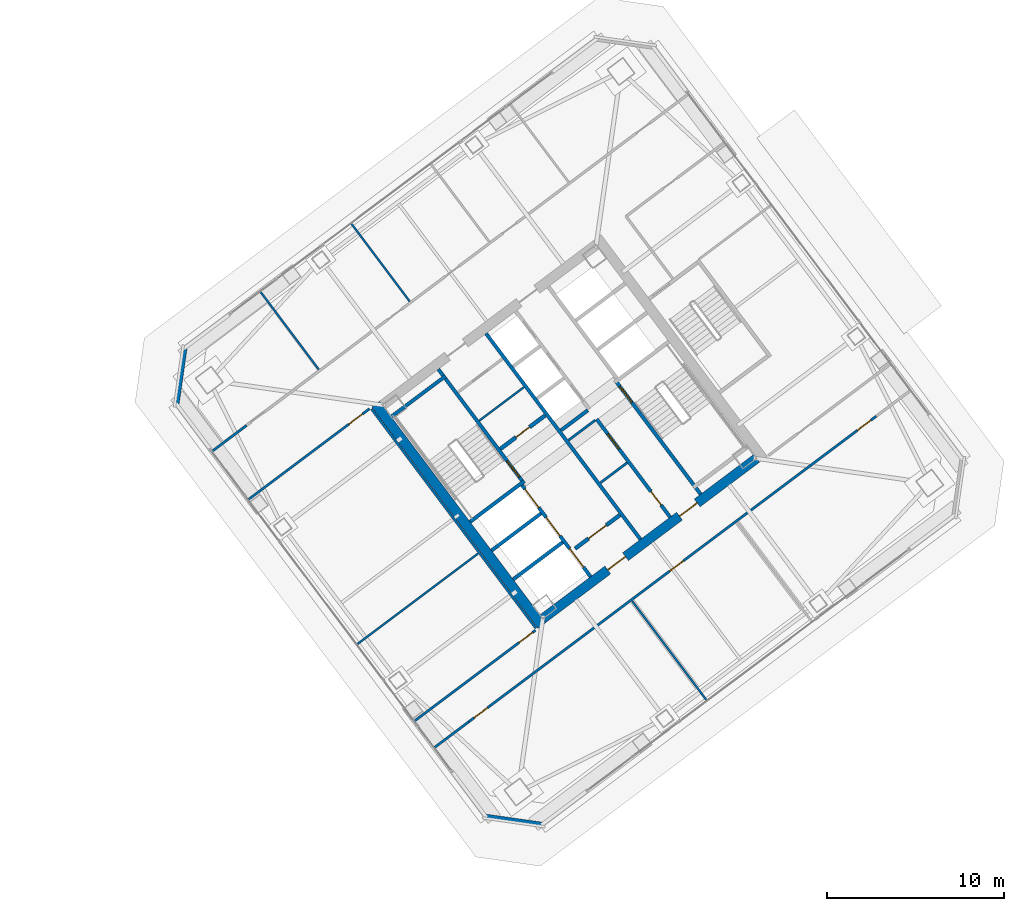
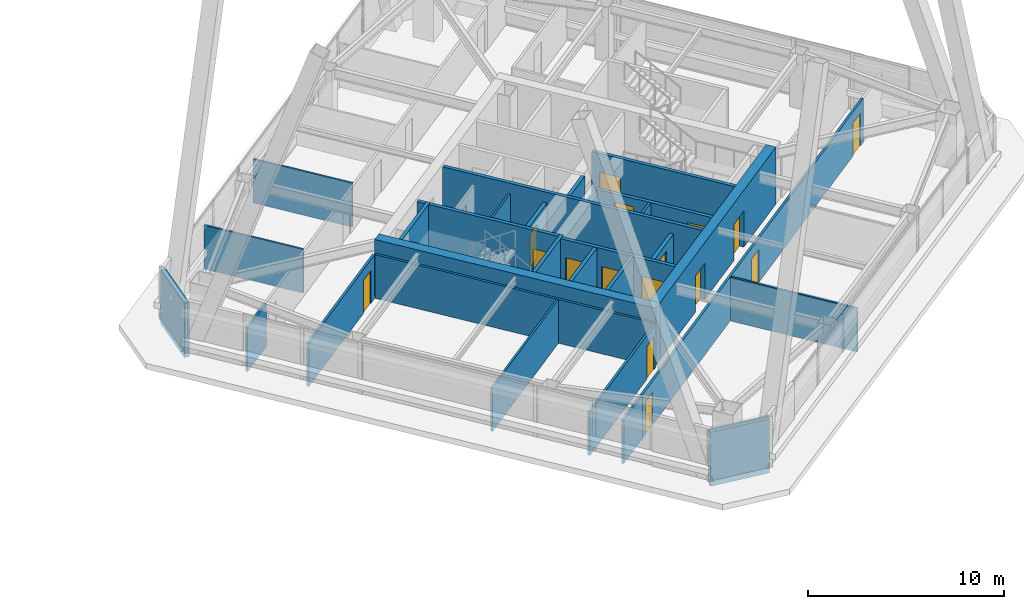
# One storey, part 57 of 65: 29 walls, 16 doors, 16 openings.
"""IFC4 building model written with IfcOpenShell, lengths in metres."""

from ifc_helpers import new_model, si_unit, direction, frame, frame_2d, origin, place, context, subcontext, project, spatial, rectangle, extrude, material, layer, layer_set, type_object, element, fill, save


model = new_model("IFC4")

# Units and contexts
model_context = context("Model", 3, precision=1e-05, world=origin(), true_north=direction((0.0, 1.0)))
body_context = subcontext(model_context, "Body", "Model", "MODEL_VIEW")
ifc_project = project(units=[si_unit("LENGTHUNIT", "METRE"), si_unit("AREAUNIT", "SQUARE_METRE"), si_unit("VOLUMEUNIT", "CUBIC_METRE"), si_unit("PLANEANGLEUNIT", "RADIAN"), si_unit("MASSUNIT", "GRAM", prefix="KILO")], contexts=[model_context])

# Site, building, storey
site_placement = place(None, origin())
site = spatial("IfcSite", under=ifc_project, at=site_placement, CompositionType="ELEMENT")
building_placement = place(site_placement, origin())
building = spatial("IfcBuilding", under=site, at=building_placement, Name="Tashvorn Skyway Center", CompositionType="ELEMENT")
storey_placement = place(building_placement, frame((0.0, 0.0, 157.0)))
storey = spatial("IfcBuildingStorey", under=building, at=storey_placement, Name="L42", CompositionType="ELEMENT", Elevation=157.0)

# Wall
ifc_material_1 = material(Name="Concrete C60/75", Category="concrete")
ifc_layer_1 = layer(ifc_material_1, 0.550048828125)
ifc_layer_set_1 = layer_set([ifc_layer_1], Name="Concrete C60/75")
wall_type_1 = type_object("IfcWallType", Name="WALL-CORE-550", PredefinedType="SHEAR", material=ifc_layer_set_1)
wall_1_placement = place(storey_placement, frame((112.43603515625, 21.076904296875, 0.0), z_axis=(0.0, 0.0, 1.0), x_axis=(-0.600005007985, 0.799996243986, 0.0)))
element("IfcWall", 1, at=wall_1_placement, inside=storey, type_object=wall_type_1, Name="Tower 2 L42 West Core Shear Wall", PredefinedType="SHEAR", context=body_context, shape_type="SweptSolid", body=[
    extrude(rectangle(XDim=15.60009765625, YDim=0.550048828125, at=frame_2d((7.800048828125, 0.0))), origin(), (0.0, 0.0, 1.0), 3.550048828125),
])

# Wall, openings, doors
wall_2_placement = place(storey_placement, frame((124.5390625, 30.498046875, 0.0), z_axis=(0.0, 0.0, 1.0), x_axis=(-0.799998054672, -0.600002593761, 0.0)))
wall_2 = element("IfcWall", 2, at=wall_2_placement, inside=storey, type_object=wall_type_1, Name="Tower 2 L42 South Core Shear Wall", PredefinedType="SHEAR", context=body_context, shape_type="SweptSolid", body=[
    extrude(rectangle(XDim=15.06005859375, YDim=0.550048828125, at=frame_2d((7.530029296875, 0.0))), origin(), (0.0, 0.0, 1.0), 3.550048828125),
])
opening_1_placement = place(wall_2_placement, frame((9.22998046875, 0.0, 0.0)))
opening_1 = element("IfcOpeningElement", 3, at=opening_1_placement, cuts=wall_2, Name="Opening D-FFL-1250", PredefinedType="OPENING", context=body_context, shape_type="SweptSolid", body=[
    extrude(rectangle(XDim=1.25, YDim=2.25, at=frame_2d((0.625, 1.125))), frame((0.0, 0.284912109375, 0.0), z_axis=(0.0, -1.0, 0.0), x_axis=(1.0, 0.0, 0.0)), (0.0, 0.0, 1.0), 0.570068359375),
])
opening_2_placement = place(wall_2_placement, frame((4.179931640625, 0.0, 0.0)))
opening_2 = element("IfcOpeningElement", 4, at=opening_2_placement, cuts=wall_2, Name="Opening D-FFL-1250", PredefinedType="OPENING", context=body_context, shape_type="SweptSolid", body=[
    extrude(rectangle(XDim=1.25, YDim=2.25, at=frame_2d((0.625, 1.125))), frame((0.0, 0.284912109375, 0.0), z_axis=(0.0, -1.0, 0.0), x_axis=(1.0, 0.0, 0.0)), (0.0, 0.0, 1.0), 0.570068359375),
])
ifc_material_2 = material(Name="Hollow galvanized steel fire door assembly", Category="steel")
door_type_1 = type_object("IfcDoorType", Name="DOOR-FFL-1250", OperationType="NOTDEFINED", PredefinedType="DOOR", material=ifc_material_2)
door_1_placement = place(opening_1_placement, origin())
door_1 = element("IfcDoor", 5, at=door_1_placement, inside=storey, type_object=door_type_1, Name="Tower 2 L42 Core South Firefighting Exit Door", OperationType="SINGLE_SWING_LEFT", OverallHeight=2.25, OverallWidth=1.25, PredefinedType="DOOR", context=body_context, shape_type="SweptSolid", body=[
    extrude(rectangle(XDim=1.25, YDim=2.25, at=frame_2d((0.625, 1.125))), frame((0.0, 0.02490234375, 0.0), z_axis=(0.0, -1.0, 0.0), x_axis=(1.0, 0.0, 0.0)), (0.0, 0.0, 1.0), 0.050048828125),
])
fill(opening_1, door_1)
door_2_placement = place(opening_2_placement, origin())
door_2 = element("IfcDoor", 6, at=door_2_placement, inside=storey, type_object=door_type_1, Name="Tower 2 L42 Core South Lift Lobby Door", OperationType="SINGLE_SWING_RIGHT", OverallHeight=2.25, OverallWidth=1.25, PredefinedType="DOOR", context=body_context, shape_type="SweptSolid", body=[
    extrude(rectangle(XDim=1.25, YDim=2.25, at=frame_2d((0.625, 1.125))), frame((0.0, 0.02490234375, 0.0), z_axis=(0.0, -1.0, 0.0), x_axis=(1.0, 0.0, 0.0)), (0.0, 0.0, 1.0), 0.050048828125),
])
fill(opening_2, door_2)

# Walls
ifc_material_3 = material(Name="Precast concrete C40/50", Category="concrete")
ifc_layer_2 = layer(ifc_material_3, 0.280029296875)
ifc_layer_set_2 = layer_set([ifc_layer_2], Name="Precast concrete C40/50")
wall_type_2 = type_object("IfcWallType", Name="WALL-EXT-280", PredefinedType="SOLIDWALL", material=ifc_layer_set_2)
for number, where, z_axis, x_axis, name in (
    (7, (112.47998046875, 9.860107421875, 0.0), (0.0, 0.0, 1.0), (-0.989950994782, 0.141410847992, 0.0), "Tower 2 L42 SW Precast Chamfer Wall"),
    (8, (91.860107421875, 33.52001953125, 0.0), (0.0, 0.0, 1.0), (0.141410847992, 0.989950994782, 0.0), "Tower 2 L42 NW Precast Chamfer Wall"),
):
    element("IfcWall", number, at=place(storey_placement, frame(where, z_axis=z_axis, x_axis=x_axis)), inside=storey, type_object=wall_type_2, Name=name, PredefinedType="SOLIDWALL", context=body_context, shape_type="SweptSolid", body=[
        extrude(rectangle(XDim=3.252685546875, YDim=0.280029296875, at=frame_2d((1.62646484375, 0.0))), origin(), (0.0, 0.0, 1.0), 3.3701171875),
    ])

# Wall, opening, door
ifc_material_4 = material(Name="Concrete C40/50", Category="concrete")
ifc_layer_3 = layer(ifc_material_4, 0.219970703125)
ifc_layer_set_3 = layer_set([ifc_layer_3], Name="Concrete C40/50")
wall_type_3 = type_object("IfcWallType", Name="WALL-FFL-220", PredefinedType="SOLIDWALL", material=ifc_layer_set_3)
wall_3_placement = place(storey_placement, frame((110.10400390625, 31.028076171875, 0.0), z_axis=(0.0, 0.0, 1.0), x_axis=(0.800018601094, 0.59997519774, 0.0)))
wall_3 = element("IfcWall", 9, at=wall_3_placement, inside=storey, type_object=wall_type_3, Name="Tower 2 L42 Firefighting Lobby North Wall", PredefinedType="SOLIDWALL", context=body_context, shape_type="SweptSolid", body=[
    extrude(rectangle(XDim=3.14990234375, YDim=0.219970703125, at=frame_2d((1.574951171875, 0.0))), origin(), (0.0, 0.0, 1.0), 2.722900390625),
])
opening_3_placement = place(wall_3_placement, frame((1.10009765625, 0.0, 0.0)))
opening_3 = element("IfcOpeningElement", 10, at=opening_3_placement, cuts=wall_3, Name="Opening D-RT-950", PredefinedType="OPENING", context=body_context, shape_type="SweptSolid", body=[
    extrude(rectangle(XDim=0.949951171875, YDim=2.050048828125, at=frame_2d((0.47509765625, 1.02490234375))), frame((0.0, 0.119873046875, 0.0), z_axis=(0.0, -1.0, 0.0), x_axis=(1.0, 0.0, 0.0)), (0.0, 0.0, 1.0), 0.239990234375),
])
door_type_2 = type_object("IfcDoorType", Name="DOOR-RATED-950", OperationType="NOTDEFINED", PredefinedType="DOOR", material=ifc_material_2)
door_3_placement = place(opening_3_placement, origin())
door_3 = element("IfcDoor", 11, at=door_3_placement, inside=storey, type_object=door_type_2, Name="Tower 2 L42 Core Linen Store Door", OperationType="SINGLE_SWING_LEFT", OverallHeight=2.050048828125, OverallWidth=0.949951171875, PredefinedType="DOOR", context=body_context, shape_type="SweptSolid", body=[
    extrude(rectangle(XDim=0.949951171875, YDim=2.050048828125, at=frame_2d((0.47509765625, 1.02490234375))), frame((0.0, 0.02490234375, 0.0), z_axis=(0.0, -1.0, 0.0), x_axis=(1.0, 0.0, 0.0)), (0.0, 0.0, 1.0), 0.050048828125),
])
fill(opening_3, door_3)

wall_4_placement = place(storey_placement, frame((114.31591796875, 25.412109375, 0.0), z_axis=(0.0, 0.0, 1.0), x_axis=(0.800018601094, 0.59997519774, 0.0)))
wall_4 = element("IfcWall", 12, at=wall_4_placement, inside=storey, type_object=wall_type_3, Name="Tower 2 L42 Firefighting Lobby South Wall", PredefinedType="SOLIDWALL", context=body_context, shape_type="SweptSolid", body=[
    extrude(rectangle(XDim=3.14990234375, YDim=0.219970703125, at=frame_2d((1.574951171875, 0.0))), origin(), (0.0, 0.0, 1.0), 2.722900390625),
])
opening_4_placement = place(wall_4_placement, frame((0.949951171875, 0.0, 0.0)))
opening_4 = element("IfcOpeningElement", 13, at=opening_4_placement, cuts=wall_4, Name="Opening D-FFL-1250", PredefinedType="OPENING", context=body_context, shape_type="SweptSolid", body=[
    extrude(rectangle(XDim=1.25, YDim=2.25, at=frame_2d((0.625, 1.125))), frame((0.0, 0.119873046875, 0.0), z_axis=(0.0, -1.0, 0.0), x_axis=(1.0, 0.0, 0.0)), (0.0, 0.0, 1.0), 0.239990234375),
])
door_4_placement = place(opening_4_placement, origin())
door_4 = element("IfcDoor", 14, at=door_4_placement, inside=storey, type_object=door_type_1, Name="Tower 2 L42 Firefighting Lobby Egress Door", OperationType="SINGLE_SWING_LEFT", OverallHeight=2.25, OverallWidth=1.25, PredefinedType="DOOR", context=body_context, shape_type="SweptSolid", body=[
    extrude(rectangle(XDim=1.25, YDim=2.25, at=frame_2d((0.625, 1.125))), frame((0.0, 0.02490234375, 0.0), z_axis=(0.0, -1.0, 0.0), x_axis=(1.0, 0.0, 0.0)), (0.0, 0.0, 1.0), 0.050048828125),
])
fill(opening_4, door_4)

# Walls
ifc_material_5 = material(Name="Gypsum board on cold-formed steel stud framing", Category="steel")
ifc_layer_4 = layer(ifc_material_5, 0.110107421875)
ifc_layer_set_4 = layer_set([ifc_layer_4], Name="Gypsum board on cold-formed steel stud framing")
wall_type_4 = type_object("IfcWallType", Name="WALL-PART-110", PredefinedType="PARTITIONING", material=ifc_layer_set_4)
wall_5_placement = place(storey_placement, frame((99.8720703125, 35.50390625, 0.0), z_axis=(0.0, 0.0, 1.0), x_axis=(-0.599992897893, 0.800005326531, 0.0)))
element("IfcWall", 15, at=wall_5_placement, inside=storey, type_object=wall_type_4, Name="Tower 2 L42 North Suite Partition 1", PredefinedType="PARTITIONING", context=body_context, shape_type="SweptSolid", body=[
    extrude(rectangle(XDim=5.500244140625, YDim=0.110107421875, at=frame_2d((2.75, 0.0))), origin(), (0.0, 0.0, 1.0), 2.722900390625),
])
wall_6_placement = place(storey_placement, frame((104.991943359375, 39.343994140625, 0.0), z_axis=(0.0, 0.0, 1.0), x_axis=(-0.600014204577, 0.79998934637, 0.0)))
element("IfcWall", 16, at=wall_6_placement, inside=storey, type_object=wall_type_4, Name="Tower 2 L42 North Suite Partition 2", PredefinedType="PARTITIONING", context=body_context, shape_type="SweptSolid", body=[
    extrude(rectangle(XDim=5.5, YDim=0.110107421875, at=frame_2d((2.75, 0.0))), origin(), (0.0, 0.0, 1.0), 2.722900390625),
])
wall_7_placement = place(storey_placement, frame((121.748046875, 16.8359375, 0.0), z_axis=(0.0, 0.0, 1.0), x_axis=(-0.6, 0.8, 0.0)))
element("IfcWall", 17, at=wall_7_placement, inside=storey, type_object=wall_type_4, Name="Tower 2 L42 South Suite Partition 1", PredefinedType="PARTITIONING", context=body_context, shape_type="SweptSolid", body=[
    extrude(rectangle(XDim=7.030029296875, YDim=0.110107421875, at=frame_2d((3.51513671875, 0.0))), origin(), (0.0, 0.0, 1.0), 2.722900390625),
])
wall_8_placement = place(storey_placement, frame((102.01611328125, 20.011962890625, 0.0), z_axis=(0.0, 0.0, 1.0), x_axis=(0.799989708052, 0.600013722352, 0.0)))
element("IfcWall", 18, at=wall_8_placement, inside=storey, type_object=wall_type_4, Name="Tower 2 L42 West Mid Partition", PredefinedType="PARTITIONING", context=body_context, shape_type="SweptSolid", body=[
    extrude(rectangle(XDim=8.539794921875, YDim=0.110107421875, at=frame_2d((4.27001953125, 0.0))), origin(), (0.0, 0.0, 1.0), 2.722900390625),
])
ifc_layer_5 = layer(ifc_material_5, 0.135009765625)
ifc_layer_set_5 = layer_set([ifc_layer_5], Name="Gypsum board on cold-formed steel stud framing")
wall_type_5 = type_object("IfcWallType", Name="WALL-PART-135", PredefinedType="PARTITIONING", material=ifc_layer_set_5)
wall_9_placement = place(storey_placement, frame((93.85595703125, 30.89208984375, 0.0), z_axis=(0.0, 0.0, 1.0), x_axis=(0.800012055778, 0.599983925293, 0.0)))
element("IfcWall", 19, at=wall_9_placement, inside=storey, type_object=wall_type_5, Name="Tower 2 L42 North-West Suite South Wall", PredefinedType="PARTITIONING", context=body_context, shape_type="SweptSolid", body=[
    extrude(rectangle(XDim=2.43017578125, YDim=0.135009765625, at=frame_2d((1.215087890625, 0.0))), origin(), (0.0, 0.0, 1.0), 2.722900390625),
])

# Wall, openings, doors
wall_10_placement = place(storey_placement, frame((131.281982421875, 32.8740234375, 0.0), z_axis=(0.0, 0.0, 1.0), x_axis=(-0.8, -0.6, 0.0)))
wall_10 = element("IfcWall", 20, at=wall_10_placement, inside=storey, type_object=wall_type_5, Name="Tower 2 L42 South Suite Wall", PredefinedType="PARTITIONING", context=body_context, shape_type="SweptSolid", body=[
    extrude(rectangle(XDim=28.699951171875, YDim=0.135009765625, at=frame_2d((14.35009765625, 0.0))), origin(), (0.0, 0.0, 1.0), 2.722900390625),
])
opening_5_placement = place(wall_10_placement, frame((27.3701171875, 0.0, 0.0)))
opening_5 = element("IfcOpeningElement", 21, at=opening_5_placement, cuts=wall_10, Name="Opening D-INT-950", PredefinedType="OPENING", context=body_context, shape_type="SweptSolid", body=[
    extrude(rectangle(XDim=0.949951171875, YDim=2.050048828125, at=frame_2d((0.47509765625, 1.02490234375))), frame((0.0, 0.077392578125, 0.0), z_axis=(0.0, -1.0, 0.0), x_axis=(1.0, 0.0, 0.0)), (0.0, 0.0, 1.0), 0.155029296875),
])
opening_6_placement = place(wall_10_placement, frame((13.59228515625, 0.0, 0.0)))
opening_6 = element("IfcOpeningElement", 22, at=opening_6_placement, cuts=wall_10, Name="Opening D-INT-950", PredefinedType="OPENING", context=body_context, shape_type="SweptSolid", body=[
    extrude(rectangle(XDim=0.949951171875, YDim=2.050048828125, at=frame_2d((0.47509765625, 1.02490234375))), frame((0.0, 0.077392578125, 0.0), z_axis=(0.0, -1.0, 0.0), x_axis=(1.0, 0.0, 0.0)), (0.0, 0.0, 1.0), 0.155029296875),
])
opening_7_placement = place(wall_10_placement, frame((0.3798828125, 0.0, 0.0)))
opening_7 = element("IfcOpeningElement", 23, at=opening_7_placement, cuts=wall_10, Name="Opening D-INT-950", PredefinedType="OPENING", context=body_context, shape_type="SweptSolid", body=[
    extrude(rectangle(XDim=0.949951171875, YDim=2.050048828125, at=frame_2d((0.47509765625, 1.02490234375))), frame((0.0, 0.077392578125, 0.0), z_axis=(0.0, -1.0, 0.0), x_axis=(1.0, 0.0, 0.0)), (0.0, 0.0, 1.0), 0.155029296875),
])
ifc_material_6 = material(Name="Solid-core architectural oak veneer door")
door_type_3 = type_object("IfcDoorType", Name="DOOR-INT-950", OperationType="NOTDEFINED", PredefinedType="DOOR", material=ifc_material_6)
door_5_placement = place(opening_5_placement, origin())
door_5 = element("IfcDoor", 24, at=door_5_placement, inside=storey, type_object=door_type_3, Name="Tower 2 L42 Research Library Door", OperationType="SINGLE_SWING_LEFT", OverallHeight=2.050048828125, OverallWidth=0.949951171875, PredefinedType="DOOR", context=body_context, shape_type="SweptSolid", body=[
    extrude(rectangle(XDim=0.949951171875, YDim=2.050048828125, at=frame_2d((0.47509765625, 1.02490234375))), frame((0.0, 0.02490234375, 0.0), z_axis=(0.0, -1.0, 0.0), x_axis=(1.0, 0.0, 0.0)), (0.0, 0.0, 1.0), 0.050048828125),
])
fill(opening_5, door_5)
door_6_placement = place(opening_6_placement, origin())
door_6 = element("IfcDoor", 25, at=door_6_placement, inside=storey, type_object=door_type_3, Name="Tower 2 L42 Staff Fitness Club Door", OperationType="SINGLE_SWING_RIGHT", OverallHeight=2.050048828125, OverallWidth=0.949951171875, PredefinedType="DOOR", context=body_context, shape_type="SweptSolid", body=[
    extrude(rectangle(XDim=0.949951171875, YDim=2.050048828125, at=frame_2d((0.47509765625, 1.02490234375))), frame((0.0, 0.02490234375, 0.0), z_axis=(0.0, -1.0, 0.0), x_axis=(1.0, 0.0, 0.0)), (0.0, 0.0, 1.0), 0.050048828125),
])
fill(opening_6, door_6)
door_7_placement = place(opening_7_placement, origin())
door_7 = element("IfcDoor", 26, at=door_7_placement, inside=storey, type_object=door_type_3, Name="Tower 2 L42 Staff Fitness Club Door", OperationType="SINGLE_SWING_LEFT", OverallHeight=2.050048828125, OverallWidth=0.949951171875, PredefinedType="DOOR", context=body_context, shape_type="SweptSolid", body=[
    extrude(rectangle(XDim=0.949951171875, YDim=2.050048828125, at=frame_2d((0.47509765625, 1.02490234375))), frame((0.0, 0.02490234375, 0.0), z_axis=(0.0, -1.0, 0.0), x_axis=(1.0, 0.0, 0.0)), (0.0, 0.0, 1.0), 0.050048828125),
])
fill(opening_7, door_7)

# Walls
wall_11_placement = place(storey_placement, frame((106.3779296875, 14.196044921875, 0.0), z_axis=(0.0, 0.0, 1.0), x_axis=(0.800012055778, 0.599983925293, 0.0)))
element("IfcWall", 27, at=wall_11_placement, inside=storey, type_object=wall_type_5, Name="Tower 2 L42 South-West Suite North Wall", PredefinedType="PARTITIONING", context=body_context, shape_type="SweptSolid", body=[
    extrude(rectangle(XDim=2.43017578125, YDim=0.135009765625, at=frame_2d((1.215087890625, 0.0))), origin(), (0.0, 0.0, 1.0), 2.722900390625),
])
wall_12_placement = place(storey_placement, frame((112.10400390625, 20.927978515625, 0.0), z_axis=(0.0, 0.0, 1.0), x_axis=(-0.599994940075, 0.800003794918, 0.0)))
element("IfcWall", 28, at=wall_12_placement, inside=storey, type_object=wall_type_5, Name="Tower 2 L42 West Inner Suite Wall", PredefinedType="PARTITIONING", context=body_context, shape_type="SweptSolid", body=[
    extrude(rectangle(XDim=15.43994140625, YDim=0.135009765625, at=frame_2d((7.719970703125, 0.0))), origin(), (0.0, 0.0, 1.0), 2.722900390625),
])

# Wall, opening, door
wall_13_placement = place(storey_placement, frame((102.72802734375, 33.2958984375, 0.0), z_axis=(0.0, 0.0, 1.0), x_axis=(-0.800013722153, -0.59998170336, 0.0)))
wall_13 = element("IfcWall", 29, at=wall_13_placement, inside=storey, type_object=wall_type_5, Name="Tower 2 L42 West Suite North Wall", PredefinedType="PARTITIONING", context=body_context, shape_type="SweptSolid", body=[
    extrude(rectangle(XDim=8.539794921875, YDim=0.135009765625, at=frame_2d((4.27001953125, 0.0))), origin(), (0.0, 0.0, 1.0), 2.722900390625),
])
opening_8_placement = place(wall_13_placement, frame((0.5, 0.0, 0.0)))
opening_8 = element("IfcOpeningElement", 30, at=opening_8_placement, cuts=wall_13, Name="Opening D-INT-950", PredefinedType="OPENING", context=body_context, shape_type="SweptSolid", body=[
    extrude(rectangle(XDim=0.949951171875, YDim=2.050048828125, at=frame_2d((0.47509765625, 1.02490234375))), frame((0.0, 0.077392578125, 0.0), z_axis=(0.0, -1.0, 0.0), x_axis=(1.0, 0.0, 0.0)), (0.0, 0.0, 1.0), 0.155029296875),
])
door_8_placement = place(opening_8_placement, origin())
door_8 = element("IfcDoor", 31, at=door_8_placement, inside=storey, type_object=door_type_3, Name="Tower 2 L42 Design Studio Door", OperationType="SINGLE_SWING_RIGHT", OverallHeight=2.050048828125, OverallWidth=0.949951171875, PredefinedType="DOOR", context=body_context, shape_type="SweptSolid", body=[
    extrude(rectangle(XDim=0.949951171875, YDim=2.050048828125, at=frame_2d((0.47509765625, 1.02490234375))), frame((0.0, 0.02490234375, 0.0), z_axis=(0.0, -1.0, 0.0), x_axis=(1.0, 0.0, 0.0)), (0.0, 0.0, 1.0), 0.050048828125),
])
fill(opening_8, door_8)

wall_14_placement = place(storey_placement, frame((105.256103515625, 15.69189453125, 0.0), z_axis=(0.0, 0.0, 1.0), x_axis=(0.799989708052, 0.600013722352, 0.0)))
wall_14 = element("IfcWall", 32, at=wall_14_placement, inside=storey, type_object=wall_type_5, Name="Tower 2 L42 West Suite South Wall", PredefinedType="PARTITIONING", context=body_context, shape_type="SweptSolid", body=[
    extrude(rectangle(XDim=8.539794921875, YDim=0.135009765625, at=frame_2d((4.27001953125, 0.0))), origin(), (0.0, 0.0, 1.0), 2.722900390625),
])
opening_9_placement = place(wall_14_placement, frame((7.3798828125, 0.0, 0.0)))
opening_9 = element("IfcOpeningElement", 33, at=opening_9_placement, cuts=wall_14, Name="Opening D-INT-950", PredefinedType="OPENING", context=body_context, shape_type="SweptSolid", body=[
    extrude(rectangle(XDim=0.949951171875, YDim=2.050048828125, at=frame_2d((0.47509765625, 1.02490234375))), frame((0.0, 0.077392578125, 0.0), z_axis=(0.0, -1.0, 0.0), x_axis=(1.0, 0.0, 0.0)), (0.0, 0.0, 1.0), 0.155029296875),
])
door_9_placement = place(opening_9_placement, origin())
door_9 = element("IfcDoor", 34, at=door_9_placement, inside=storey, type_object=door_type_3, Name="Tower 2 L42 Public Restroom Door", OperationType="SINGLE_SWING_LEFT", OverallHeight=2.050048828125, OverallWidth=0.949951171875, PredefinedType="DOOR", context=body_context, shape_type="SweptSolid", body=[
    extrude(rectangle(XDim=0.949951171875, YDim=2.050048828125, at=frame_2d((0.47509765625, 1.02490234375))), frame((0.0, 0.02490234375, 0.0), z_axis=(0.0, -1.0, 0.0), x_axis=(1.0, 0.0, 0.0)), (0.0, 0.0, 1.0), 0.050048828125),
])
fill(opening_9, door_9)

# Walls
ifc_layer_6 = layer(ifc_material_5, 0.110107421875)
ifc_layer_set_6 = layer_set([ifc_layer_6], Name="Gypsum board on cold-formed steel stud framing")
wall_type_6 = type_object("IfcWallType", Name="WALL-RATED-110", PredefinedType="PARTITIONING", material=ifc_layer_set_6)
wall_15_placement = place(storey_placement, frame((108.909912109375, 32.6201171875, 0.0), z_axis=(0.0, 0.0, 1.0), x_axis=(0.800018601094, 0.59997519774, 0.0)))
element("IfcWall", 35, at=wall_15_placement, inside=storey, type_object=wall_type_6, Name="Tower 2 L42 Core Transverse Wall", PredefinedType="PARTITIONING", context=body_context, shape_type="SweptSolid", body=[
    extrude(rectangle(XDim=3.14990234375, YDim=0.110107421875, at=frame_2d((1.574951171875, 0.0))), origin(), (0.0, 0.0, 1.0), 2.722900390625),
])
ifc_layer_7 = layer(ifc_material_5, 0.135009765625)
ifc_layer_set_7 = layer_set([ifc_layer_7], Name="Gypsum board on cold-formed steel stud framing")
wall_type_7 = type_object("IfcWallType", Name="WALL-RATED-135", PredefinedType="PARTITIONING", material=ifc_layer_set_7)
for number, where, z_axis, x_axis, name in (
    (36, (113.946044921875, 31.52197265625, 0.0), (0.0, 0.0, 1.0), (0.8, 0.6, 0.0), "Tower 2 L42 Core Room Partition"),
    (37, (115.74609375, 29.1220703125, 0.0), (0.0, 0.0, 1.0), (0.8, 0.6, 0.0), "Tower 2 L42 Freed Core Partition"),
):
    element("IfcWall", number, at=place(storey_placement, frame(where, z_axis=z_axis, x_axis=x_axis)), inside=storey, type_object=wall_type_7, Name=name, PredefinedType="PARTITIONING", context=body_context, shape_type="SweptSolid", body=[
        extrude(rectangle(XDim=1.8798828125, YDim=0.135009765625, at=frame_2d((0.93994140625, 0.0))), origin(), (0.0, 0.0, 1.0), 2.722900390625),
    ])
ifc_layer_8 = layer(ifc_material_4, 0.199951171875)
ifc_layer_set_8 = layer_set([ifc_layer_8], Name="Concrete C40/50")
wall_type_8 = type_object("IfcWallType", Name="WALL-SHAFT-200", PredefinedType="SOLIDWALL", material=ifc_layer_set_8)
for number, where, z_axis, x_axis, name in (
    (38, (110.825927734375, 23.681884765625, 0.0), (0.0, 0.0, 1.0), (0.8, 0.6, 0.0), "Tower 2 L42 FSAE Shaft Divider"),
    (39, (109.60791015625, 25.305908203125, 0.0), (0.0, 0.0, 1.0), (0.8, 0.6, 0.0), "Tower 2 L42 FSAE Shaft Divider"),
):
    element("IfcWall", number, at=place(storey_placement, frame(where, z_axis=z_axis, x_axis=x_axis)), inside=storey, type_object=wall_type_8, Name=name, PredefinedType="SOLIDWALL", context=body_context, shape_type="SweptSolid", body=[
        extrude(rectangle(XDim=3.480224609375, YDim=0.199951171875, at=frame_2d((1.740234375, 0.0))), origin(), (0.0, 0.0, 1.0), 3.3701171875),
    ])

# Wall, openings, doors
wall_16_placement = place(storey_placement, frame((119.669921875, 27.18994140625, 0.0), z_axis=(0.0, 0.0, 1.0), x_axis=(-0.599988677396, 0.800008491828, 0.0)))
wall_16 = element("IfcWall", 40, at=wall_16_placement, inside=storey, type_object=wall_type_8, Name="Tower 2 L42 Low-Rise Core Wall", PredefinedType="SOLIDWALL", context=body_context, shape_type="SweptSolid", body=[
    extrude(rectangle(XDim=6.89990234375, YDim=0.199951171875, at=frame_2d((3.449951171875, 0.0))), origin(), (0.0, 0.0, 1.0), 2.722900390625),
])
opening_10_placement = place(wall_16_placement, frame((0.85009765625, 0.0, 0.0)))
opening_10 = element("IfcOpeningElement", 41, at=opening_10_placement, cuts=wall_16, Name="Opening D-RT-950", PredefinedType="OPENING", context=body_context, shape_type="SweptSolid", body=[
    extrude(rectangle(XDim=0.949951171875, YDim=2.050048828125, at=frame_2d((0.47509765625, 1.02490234375))), frame((0.0, 0.10986328125, 0.0), z_axis=(0.0, -1.0, 0.0), x_axis=(1.0, 0.0, 0.0)), (0.0, 0.0, 1.0), 0.219970703125),
])
opening_11_placement = place(wall_16_placement, frame((4.800048828125, 0.0, 0.0)))
opening_11 = element("IfcOpeningElement", 42, at=opening_11_placement, cuts=wall_16, Name="Opening D-RT-1050", PredefinedType="OPENING", context=body_context, shape_type="SweptSolid", body=[
    extrude(rectangle(XDim=1.050048828125, YDim=2.199951171875, at=frame_2d((0.52490234375, 1.10009765625))), frame((0.0, 0.10986328125, 0.0), z_axis=(0.0, -1.0, 0.0), x_axis=(1.0, 0.0, 0.0)), (0.0, 0.0, 1.0), 0.219970703125),
])
door_type_4 = type_object("IfcDoorType", Name="DOOR-RATED-1050", OperationType="NOTDEFINED", PredefinedType="DOOR", material=ifc_material_2)
door_10_placement = place(opening_11_placement, origin())
door_10 = element("IfcDoor", 43, at=door_10_placement, inside=storey, type_object=door_type_4, Name="Tower 2 L42 Freed Core Room Door", OperationType="SINGLE_SWING_RIGHT", OverallHeight=2.199951171875, OverallWidth=1.050048828125, PredefinedType="DOOR", context=body_context, shape_type="SweptSolid", body=[
    extrude(rectangle(XDim=1.050048828125, YDim=2.199951171875, at=frame_2d((0.52490234375, 1.10009765625))), frame((0.0, 0.02490234375, 0.0), z_axis=(0.0, -1.0, 0.0), x_axis=(1.0, 0.0, 0.0)), (0.0, 0.0, 1.0), 0.050048828125),
])
fill(opening_11, door_10)
door_11_placement = place(opening_10_placement, origin())
door_11 = element("IfcDoor", 44, at=door_11_placement, inside=storey, type_object=door_type_2, Name="Tower 2 L42 Core Print Room Door", OperationType="SINGLE_SWING_LEFT", OverallHeight=2.050048828125, OverallWidth=0.949951171875, PredefinedType="DOOR", context=body_context, shape_type="SweptSolid", body=[
    extrude(rectangle(XDim=0.949951171875, YDim=2.050048828125, at=frame_2d((0.47509765625, 1.02490234375))), frame((0.0, 0.02490234375, 0.0), z_axis=(0.0, -1.0, 0.0), x_axis=(1.0, 0.0, 0.0)), (0.0, 0.0, 1.0), 0.050048828125),
])
fill(opening_10, door_11)

# Wall
wall_17_placement = place(storey_placement, frame((113.52587890625, 32.08203125, 0.0), z_axis=(0.0, 0.0, 1.0), x_axis=(0.800046745961, 0.599937666993, 0.0)))
element("IfcWall", 45, at=wall_17_placement, inside=storey, type_object=wall_type_8, Name="Tower 2 L42 Mid-Rise Shaft Divider", PredefinedType="SOLIDWALL", context=body_context, shape_type="SweptSolid", body=[
    extrude(rectangle(XDim=1.880126953125, YDim=0.199951171875, at=frame_2d((0.93994140625, 0.0))), origin(), (0.0, 0.0, 1.0), 3.3701171875),
])

# Wall, opening, door
ifc_layer_9 = layer(ifc_material_4, 0.199951171875)
ifc_layer_set_9 = layer_set([ifc_layer_9], Name="Concrete C40/50")
wall_type_9 = type_object("IfcWallType", Name="WALL-STSHF-200", PredefinedType="SHEAR", material=ifc_layer_set_9)
wall_18_placement = place(storey_placement, frame((111.43994140625, 29.080078125, 0.0), z_axis=(0.0, 0.0, 1.0), x_axis=(-0.59999029481, 0.8000072788, 0.0)))
wall_18 = element("IfcWall", 46, at=wall_18_placement, inside=storey, type_object=wall_type_9, Name="Tower 2 L42 Stair 1 Enclosure Wall", PredefinedType="SHEAR", context=body_context, shape_type="SweptSolid", body=[
    extrude(rectangle(XDim=8.0498046875, YDim=0.199951171875, at=frame_2d((4.02490234375, 0.0))), origin(), (0.0, 0.0, 1.0), 3.3701171875),
])
opening_12_placement = place(wall_18_placement, frame((0.449951171875, 0.0, 0.0)))
opening_12 = element("IfcOpeningElement", 47, at=opening_12_placement, cuts=wall_18, Name="Opening D-ST-1150", PredefinedType="OPENING", context=body_context, shape_type="SweptSolid", body=[
    extrude(rectangle(XDim=1.14990234375, YDim=2.199951171875, at=frame_2d((0.574951171875, 1.10009765625))), frame((0.0, 0.10986328125, 0.0), z_axis=(0.0, -1.0, 0.0), x_axis=(1.0, 0.0, 0.0)), (0.0, 0.0, 1.0), 0.219970703125),
])
door_type_5 = type_object("IfcDoorType", Name="DOOR-STAIR-1150", OperationType="NOTDEFINED", PredefinedType="DOOR", material=ifc_material_2)
door_12_placement = place(opening_12_placement, origin())
door_12 = element("IfcDoor", 48, at=door_12_placement, inside=storey, type_object=door_type_5, Name="Tower 2 L42 Exit Stair 1 Door", OperationType="SINGLE_SWING_RIGHT", OverallHeight=2.199951171875, OverallWidth=1.14990234375, PredefinedType="DOOR", context=body_context, shape_type="SweptSolid", body=[
    extrude(rectangle(XDim=1.14990234375, YDim=2.199951171875, at=frame_2d((0.574951171875, 1.10009765625))), frame((0.0, 0.02490234375, 0.0), z_axis=(0.0, -1.0, 0.0), x_axis=(1.0, 0.0, 0.0)), (0.0, 0.0, 1.0), 0.050048828125),
])
fill(opening_12, door_12)

# Walls
for number, where, z_axis, x_axis, name in (
    (49, (108.39599609375, 26.922119140625, 0.0), (0.0, 0.0, 1.0), (0.800015298837, 0.599979601008, 0.0), "Tower 2 L42 Stair 1 South Wall"),
    (50, (103.9560546875, 32.842041015625, 0.0), (0.0, 0.0, 1.0), (0.800015298837, 0.599979601008, 0.0), "Tower 2 L42 Stair 1 North Wall"),
):
    element("IfcWall", number, at=place(storey_placement, frame(where, z_axis=z_axis, x_axis=x_axis)), inside=storey, type_object=wall_type_9, Name=name, PredefinedType="SHEAR", context=body_context, shape_type="SweptSolid", body=[
        extrude(rectangle(XDim=3.829833984375, YDim=0.199951171875, at=frame_2d((1.9150390625, 0.0))), origin(), (0.0, 0.0, 1.0), 3.3701171875),
    ])

# Wall, opening, door
wall_19_placement = place(storey_placement, frame((116.56005859375, 34.919921875, 0.0), z_axis=(0.0, 0.0, 1.0), x_axis=(0.59999029481, -0.8000072788, 0.0)))
wall_19 = element("IfcWall", 51, at=wall_19_placement, inside=storey, type_object=wall_type_9, Name="Tower 2 L42 Stair 2 Enclosure Wall", PredefinedType="SHEAR", context=body_context, shape_type="SweptSolid", body=[
    extrude(rectangle(XDim=8.0498046875, YDim=0.199951171875, at=frame_2d((4.02490234375, 0.0))), origin(), (0.0, 0.0, 1.0), 3.3701171875),
])
opening_13_placement = place(wall_19_placement, frame((0.449951171875, 0.0, 0.0)))
opening_13 = element("IfcOpeningElement", 52, at=opening_13_placement, cuts=wall_19, Name="Opening D-ST-1150", PredefinedType="OPENING", context=body_context, shape_type="SweptSolid", body=[
    extrude(rectangle(XDim=1.14990234375, YDim=2.199951171875, at=frame_2d((0.574951171875, 1.10009765625))), frame((0.0, 0.10986328125, 0.0), z_axis=(0.0, -1.0, 0.0), x_axis=(1.0, 0.0, 0.0)), (0.0, 0.0, 1.0), 0.219970703125),
])
door_13_placement = place(opening_13_placement, origin())
door_13 = element("IfcDoor", 53, at=door_13_placement, inside=storey, type_object=door_type_5, Name="Tower 2 L42 Exit Stair 2 Door", OperationType="SINGLE_SWING_RIGHT", OverallHeight=2.199951171875, OverallWidth=1.14990234375, PredefinedType="DOOR", context=body_context, shape_type="SweptSolid", body=[
    extrude(rectangle(XDim=1.14990234375, YDim=2.199951171875, at=frame_2d((0.574951171875, 1.10009765625))), frame((0.0, 0.02490234375, 0.0), z_axis=(0.0, -1.0, 0.0), x_axis=(1.0, 0.0, 0.0)), (0.0, 0.0, 1.0), 0.050048828125),
])
fill(opening_13, door_13)

# Wall
wall_20_placement = place(storey_placement, frame((117.998046875, 25.93603515625, 0.0), z_axis=(0.0, 0.0, 1.0), x_axis=(-0.600002693989, 0.799997979501, 0.0)))
element("IfcWall", 54, at=wall_20_placement, inside=storey, type_object=wall_type_9, Name="Tower 2 L42 Firefighting Lobby East Smoke Barrier", PredefinedType="SHEAR", context=body_context, shape_type="SweptSolid", body=[
    extrude(rectangle(XDim=14.499755859375, YDim=0.199951171875, at=frame_2d((7.25, 0.0))), origin(), (0.0, 0.0, 1.0), 3.3701171875),
])

# Wall, openings, doors
wall_21_placement = place(storey_placement, frame((115.18994140625, 23.830078125, 0.0), z_axis=(0.0, 0.0, 1.0), x_axis=(-0.599993943644, 0.800004542231, 0.0)))
wall_21 = element("IfcWall", 55, at=wall_21_placement, inside=storey, type_object=wall_type_9, Name="Tower 2 L42 FSAE and Goods Shaft Front Wall", PredefinedType="SHEAR", context=body_context, shape_type="SweptSolid", body=[
    extrude(rectangle(XDim=6.449951171875, YDim=0.199951171875, at=frame_2d((3.22509765625, 0.0))), origin(), (0.0, 0.0, 1.0), 3.3701171875),
])
opening_14_placement = place(wall_21_placement, frame((4.875, 0.0, 0.0)))
opening_14 = element("IfcOpeningElement", 56, at=opening_14_placement, cuts=wall_21, Name="Opening LD-FF-T2-1-L42", PredefinedType="OPENING", context=body_context, shape_type="SweptSolid", body=[
    extrude(rectangle(XDim=1.300048828125, YDim=2.25, at=frame_2d((0.64990234375, 1.125))), frame((0.0, 0.10986328125, 0.0), z_axis=(0.0, -1.0, 0.0), x_axis=(1.0, 0.0, 0.0)), (0.0, 0.0, 1.0), 0.219970703125),
])
opening_15_placement = place(wall_21_placement, frame((2.875, 0.0, 0.0)))
opening_15 = element("IfcOpeningElement", 57, at=opening_15_placement, cuts=wall_21, Name="Opening LD-FF-T2-2-L42", PredefinedType="OPENING", context=body_context, shape_type="SweptSolid", body=[
    extrude(rectangle(XDim=1.300048828125, YDim=2.25, at=frame_2d((0.64990234375, 1.125))), frame((0.0, 0.10986328125, 0.0), z_axis=(0.0, -1.0, 0.0), x_axis=(1.0, 0.0, 0.0)), (0.0, 0.0, 1.0), 0.219970703125),
])
opening_16_placement = place(wall_21_placement, frame((0.675048828125, 0.0, 0.0)))
opening_16 = element("IfcOpeningElement", 58, at=opening_16_placement, cuts=wall_21, Name="Opening LD-GD-T2-1-L42", PredefinedType="OPENING", context=body_context, shape_type="SweptSolid", body=[
    extrude(rectangle(XDim=1.300048828125, YDim=2.25, at=frame_2d((0.64990234375, 1.125))), frame((0.0, 0.10986328125, 0.0), z_axis=(0.0, -1.0, 0.0), x_axis=(1.0, 0.0, 0.0)), (0.0, 0.0, 1.0), 0.219970703125),
])
ifc_material_7 = material(Name="Stainless steel heavy-duty landing door", Category="steel")
door_type_6 = type_object("IfcDoorType", Name="DOOR-LIFT-1300", OperationType="SLIDING_TO_LEFT", PredefinedType="DOOR", material=ifc_material_7)
door_14_placement = place(opening_14_placement, origin())
door_14 = element("IfcDoor", 59, at=door_14_placement, inside=storey, type_object=door_type_6, Name="Lift FF-T2-1 L42 Landing Door", OperationType="SLIDING_TO_LEFT", OverallHeight=2.25, OverallWidth=1.300048828125, PredefinedType="DOOR", context=body_context, shape_type="SweptSolid", body=[
    extrude(rectangle(XDim=1.300048828125, YDim=2.25, at=frame_2d((0.64990234375, 1.125))), frame((0.0, 0.02490234375, 0.0), z_axis=(0.0, -1.0, 0.0), x_axis=(1.0, 0.0, 0.0)), (0.0, 0.0, 1.0), 0.050048828125),
])
fill(opening_14, door_14)
door_15_placement = place(opening_15_placement, origin())
door_15 = element("IfcDoor", 60, at=door_15_placement, inside=storey, type_object=door_type_6, Name="Lift FF-T2-2 L42 Landing Door", OperationType="SLIDING_TO_LEFT", OverallHeight=2.25, OverallWidth=1.300048828125, PredefinedType="DOOR", context=body_context, shape_type="SweptSolid", body=[
    extrude(rectangle(XDim=1.300048828125, YDim=2.25, at=frame_2d((0.64990234375, 1.125))), frame((0.0, 0.02490234375, 0.0), z_axis=(0.0, -1.0, 0.0), x_axis=(1.0, 0.0, 0.0)), (0.0, 0.0, 1.0), 0.050048828125),
])
fill(opening_15, door_15)
door_16_placement = place(opening_16_placement, origin())
door_16 = element("IfcDoor", 61, at=door_16_placement, inside=storey, type_object=door_type_6, Name="Lift GD-T2-1 L42 Landing Door", OperationType="SLIDING_TO_LEFT", OverallHeight=2.25, OverallWidth=1.300048828125, PredefinedType="DOOR", context=body_context, shape_type="SweptSolid", body=[
    extrude(rectangle(XDim=1.300048828125, YDim=2.25, at=frame_2d((0.64990234375, 1.125))), frame((0.0, 0.02490234375, 0.0), z_axis=(0.0, -1.0, 0.0), x_axis=(1.0, 0.0, 0.0)), (0.0, 0.0, 1.0), 0.050048828125),
])
fill(opening_16, door_16)

save(model, "model.ifc")
